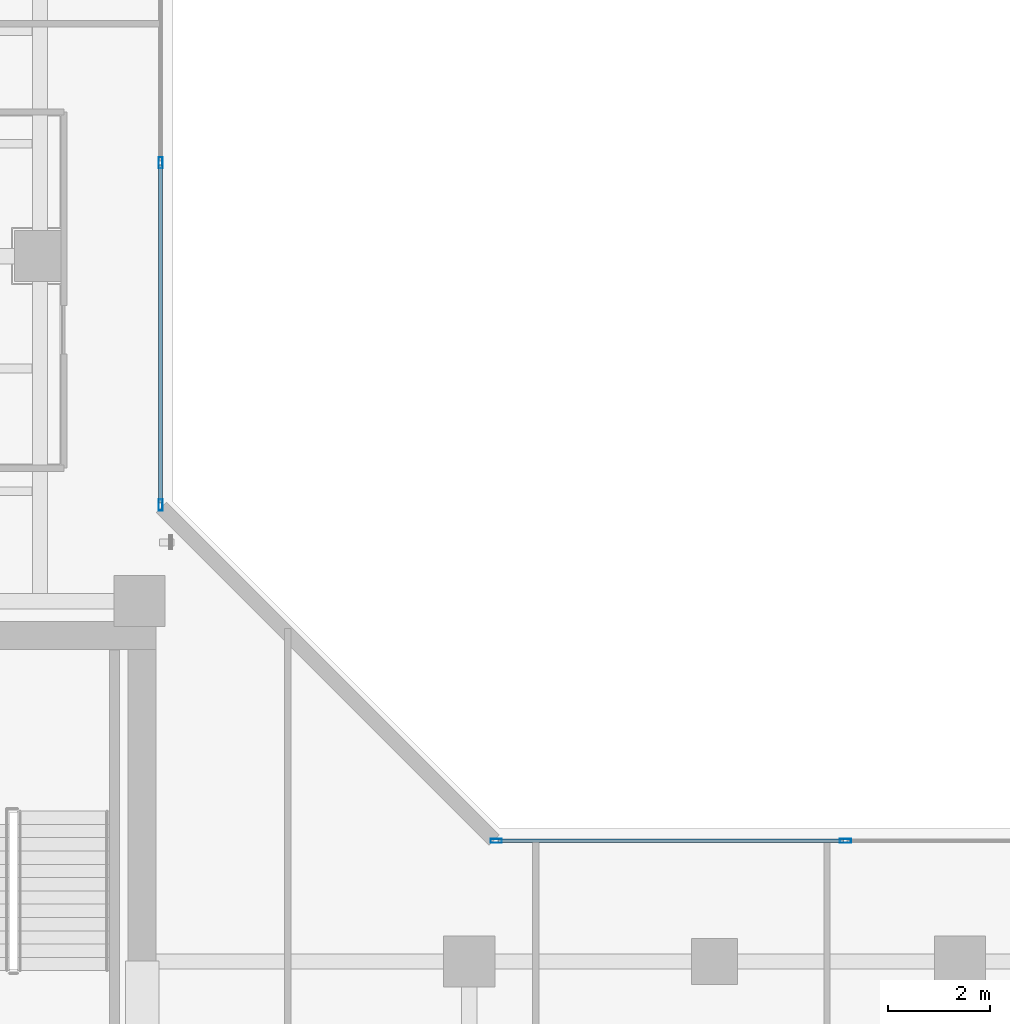
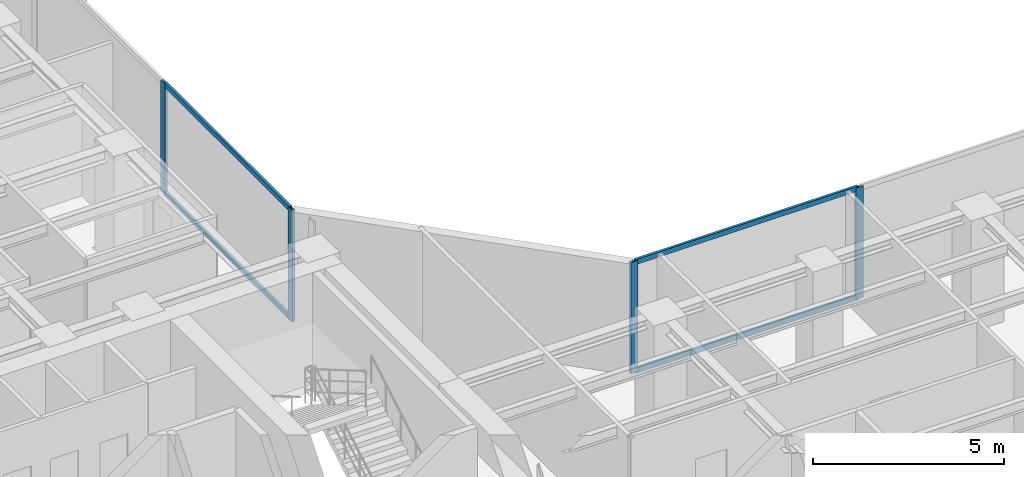
# One storey, part 10 of 25: 8 members, 2 elements without a shape of their own.
"""IFC4 building model written with IfcOpenShell, lengths in metres."""

from ifc_helpers import new_model, si_unit, direction, frame, origin, origin_with_axes, origin_2d, place, context, subcontext, project, spatial, hollow_rectangle, extrude, source, transform, mapped, material, layer, layer_set, material_profile, profile_set, type_object, element, aggregate, save


model = new_model("IFC4")

# Units and contexts
model_context = context("Model", 3, precision=1e-05, world=origin(), true_north=direction((0.0, 1.0)))
body_context = subcontext(model_context, "Body", "Model", "MODEL_VIEW")
ifc_project = project(units=[si_unit("LENGTHUNIT", "METRE"), si_unit("AREAUNIT", "SQUARE_METRE"), si_unit("VOLUMEUNIT", "CUBIC_METRE"), si_unit("PLANEANGLEUNIT", "RADIAN"), si_unit("MASSUNIT", "GRAM", prefix="KILO")], contexts=[model_context])

# Site, building, storey
site_placement = place(None, origin())
site = spatial("IfcSite", under=ifc_project, at=site_placement, CompositionType="ELEMENT")
building_placement = place(site_placement, origin())
building = spatial("IfcBuilding", under=site, at=building_placement, Name="Kolvaren Waterfront Exchange", CompositionType="ELEMENT")
storey_placement = place(building_placement, frame((0.0, 0.0, 204.5)))
storey = spatial("IfcBuildingStorey", under=building, at=storey_placement, Name="L52", CompositionType="ELEMENT", Elevation=204.5)

# Curtain wall, members
ifc_material_1 = material(Name="Anodised bronze aluminium 6063-T6", Category="aluminium")
ifc_layer = layer(ifc_material_1, 0.219970703125, Name="Anodised bronze aluminium 6063-T6")
ifc_layer_set = layer_set([ifc_layer], Name="Anodised bronze aluminium 6063-T6")
curtain_wall_type = type_object("IfcCurtainWallType", Name="ARC-CW-SYS1", PredefinedType="USERDEFINED", material=ifc_layer_set)
curtain_wall_1_placement = place(storey_placement, origin())
curtain_wall_1 = element("IfcCurtainWall", 1, at=curtain_wall_1_placement, inside=storey, type_object=curtain_wall_type, Name="L52 stick curtain wall CW1 (CW-L52-NE)", ObjectType="STICK CURTAIN WALL", PredefinedType="USERDEFINED")
ifc_material_2 = material(Name="Anodised aluminium 6063-T6", Category="aluminium")
ifc_material_profile_1 = material_profile(ifc_material_2, hollow_rectangle(XDim=0.080078125, YDim=0.219970703125, WallThickness=0.0048828125, at=origin_2d()), Name="ALU-MUL-220x80x5")
ifc_profile_set_1 = profile_set([ifc_material_profile_1], Name="Anodised aluminium 6063-T6")
member_type_1 = type_object("IfcMemberType", Name="ARC-CWM-220", PredefinedType="MULLION", material=ifc_profile_set_1)
shared_shape_1 = source(origin_with_axes(), body_context, "Body", "SweptSolid", [
    extrude(hollow_rectangle(XDim=0.080078125, YDim=0.219970703125, WallThickness=0.0048828125, at=origin_2d()), origin(), (0.0, 0.0, 1.0), 3.56005859375),
])
member_1_placement = place(storey_placement, frame((21.159912109375, 26.330078125, 0.0), z_axis=(0.0, 0.0, 1.0), x_axis=(-1.0, 0.0, 0.0)))
member_1 = element("IfcMember", 2, at=member_1_placement, type_object=member_type_1, Name="CW1 mullion 1", PredefinedType="MULLION", context=body_context, shape_type="MappedRepresentation", body=[
    mapped(shared_shape_1, transform((0.0, 0.0, 0.0), x_axis=(1.0, 0.0, 0.0), y_axis=(0.0, 1.0, 0.0), z_axis=(0.0, 0.0, 1.0), scale=1.0)),
])
member_2_placement = place(storey_placement, frame((21.159912109375, 33.026611328125, 0.0), z_axis=(0.0, 0.0, 1.0), x_axis=(-1.0, 0.0, 0.0)))
member_2 = element("IfcMember", 3, at=member_2_placement, type_object=member_type_1, Name="CW1 mullion 2", PredefinedType="MULLION", context=body_context, shape_type="MappedRepresentation", body=[
    mapped(shared_shape_1, transform((0.0, 0.0, 0.0), x_axis=(1.0, 0.0, 0.0), y_axis=(0.0, 1.0, 0.0), z_axis=(0.0, 0.0, 1.0), scale=1.0)),
])

curtain_wall_2_placement = place(storey_placement, origin())
curtain_wall_2 = element("IfcCurtainWall", 4, at=curtain_wall_2_placement, inside=storey, type_object=curtain_wall_type, Name="L52 stick curtain wall CW1 (CW-L52-EN)", ObjectType="STICK CURTAIN WALL", PredefinedType="USERDEFINED")
member_3_placement = place(storey_placement, frame((27.72998046875, 19.760009765625, 0.0), z_axis=(0.0, 0.0, 1.0), x_axis=(0.0, 1.0, 0.0)))
member_3 = element("IfcMember", 5, at=member_3_placement, type_object=member_type_1, Name="CW1 mullion 1", PredefinedType="MULLION", context=body_context, shape_type="MappedRepresentation", body=[
    mapped(shared_shape_1, transform((0.0, 0.0, 0.0), x_axis=(1.0, 0.0, 0.0), y_axis=(0.0, 1.0, 0.0), z_axis=(0.0, 0.0, 1.0), scale=1.0)),
])
member_4_placement = place(storey_placement, frame((34.56005859375, 19.760009765625, 0.0), z_axis=(0.0, 0.0, 1.0), x_axis=(0.0, 1.0, 0.0)))
member_4 = element("IfcMember", 6, at=member_4_placement, type_object=member_type_1, Name="CW1 mullion 2", PredefinedType="MULLION", context=body_context, shape_type="MappedRepresentation", body=[
    mapped(shared_shape_1, transform((0.0, 0.0, 0.0), x_axis=(1.0, 0.0, 0.0), y_axis=(0.0, 1.0, 0.0), z_axis=(0.0, 0.0, 1.0), scale=1.0)),
])

# Member
ifc_material_profile_2 = material_profile(ifc_material_2, hollow_rectangle(XDim=0.074951171875, YDim=0.159912109375, WallThickness=0.00439453125, at=origin_2d()), Name="ALU-TRN-160x75x4.5")
ifc_profile_set_2 = profile_set([ifc_material_profile_2], Name="Anodised aluminium 6063-T6")
member_type_2 = type_object("IfcMemberType", Name="ARC-CWT-160", PredefinedType="USERDEFINED", material=ifc_profile_set_2)
shared_shape_2 = source(origin_with_axes(), body_context, "Body", "SweptSolid", [
    extrude(hollow_rectangle(XDim=0.074951171875, YDim=0.159912109375, WallThickness=0.00439453125, at=origin_2d()), origin(), (0.0, 0.0, 1.0), 6.616455078125),
])
member_5_placement = place(storey_placement, frame((21.159912109375, 26.3701171875, 0.03759765625), z_axis=(0.0, 1.0, 0.0), x_axis=(-1.0, 0.0, 0.0)))
member_5 = element("IfcMember", 7, at=member_5_placement, type_object=member_type_2, Name="CW1 transom 1.1", ObjectType="TRANSOM", PredefinedType="USERDEFINED", context=body_context, shape_type="MappedRepresentation", body=[
    mapped(shared_shape_2, transform((0.0, 0.0, 0.0), x_axis=(1.0, 0.0, 0.0), y_axis=(0.0, 1.0, 0.0), z_axis=(0.0, 0.0, 1.0), scale=1.0)),
])

member_6_placement = place(storey_placement, frame((21.159912109375, 26.3701171875, 3.5224609375), z_axis=(0.0, 1.0, 0.0), x_axis=(-1.0, 0.0, 0.0)))
member_6 = element("IfcMember", 8, at=member_6_placement, type_object=member_type_2, Name="CW1 transom 1.2", ObjectType="TRANSOM", PredefinedType="USERDEFINED", context=body_context, shape_type="MappedRepresentation", body=[
    mapped(shared_shape_2, transform((0.0, 0.0, 0.0), x_axis=(1.0, 0.0, 0.0), y_axis=(0.0, 1.0, 0.0), z_axis=(0.0, 0.0, 1.0), scale=1.0)),
])

aggregate(curtain_wall_1, [member_1, member_2, member_5, member_6])

shared_shape_3 = source(origin_with_axes(), body_context, "Body", "SweptSolid", [
    extrude(hollow_rectangle(XDim=0.074951171875, YDim=0.159912109375, WallThickness=0.00439453125, at=origin_2d()), origin(), (0.0, 0.0, 1.0), 6.75),
])
member_7_placement = place(storey_placement, frame((27.77001953125, 19.760009765625, 0.03759765625), z_axis=(1.0, 0.0, 0.0), x_axis=(0.0, 1.0, 0.0)))
member_7 = element("IfcMember", 9, at=member_7_placement, type_object=member_type_2, Name="CW1 transom 1.1", ObjectType="TRANSOM", PredefinedType="USERDEFINED", context=body_context, shape_type="MappedRepresentation", body=[
    mapped(shared_shape_3, transform((0.0, 0.0, 0.0), x_axis=(1.0, 0.0, 0.0), y_axis=(0.0, 1.0, 0.0), z_axis=(0.0, 0.0, 1.0), scale=1.0)),
])

member_8_placement = place(storey_placement, frame((27.77001953125, 19.760009765625, 3.5224609375), z_axis=(1.0, 0.0, 0.0), x_axis=(0.0, 1.0, 0.0)))
member_8 = element("IfcMember", 10, at=member_8_placement, type_object=member_type_2, Name="CW1 transom 1.2", ObjectType="TRANSOM", PredefinedType="USERDEFINED", context=body_context, shape_type="MappedRepresentation", body=[
    mapped(shared_shape_3, transform((0.0, 0.0, 0.0), x_axis=(1.0, 0.0, 0.0), y_axis=(0.0, 1.0, 0.0), z_axis=(0.0, 0.0, 1.0), scale=1.0)),
])

aggregate(curtain_wall_2, [member_3, member_4, member_7, member_8])

save(model, "model.ifc")
